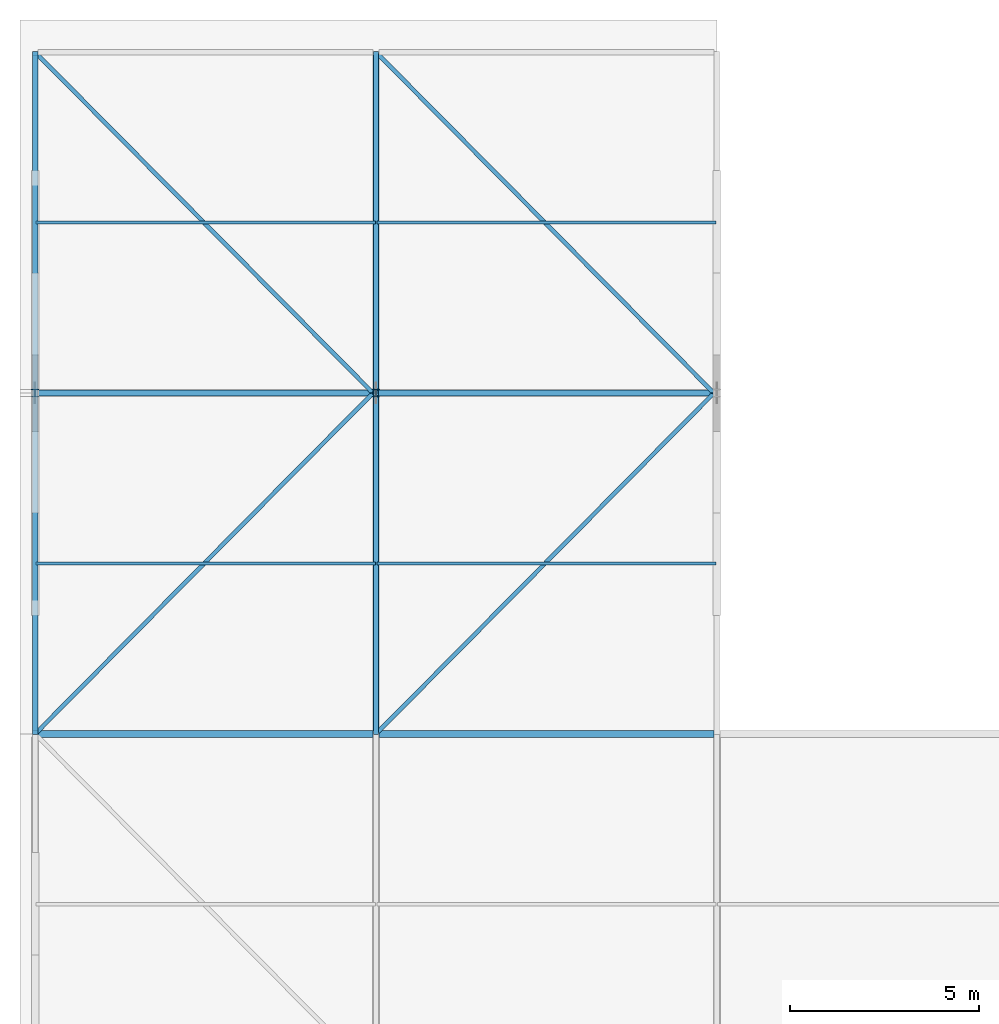
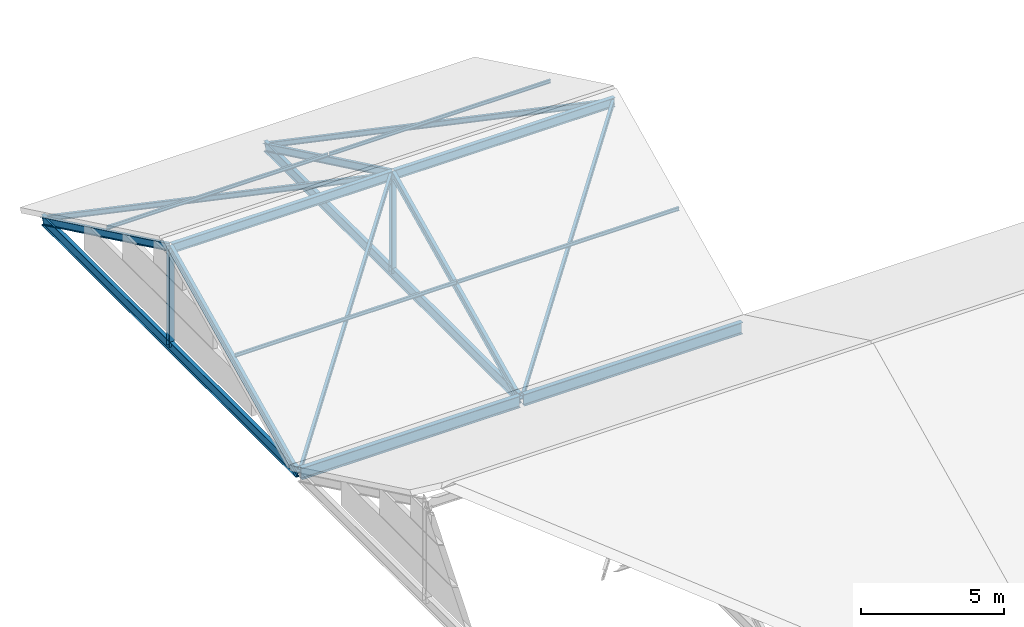
# One storey, part 3 of 9: 16 members, 4 beams.
"""IFC4 building model written with IfcOpenShell, lengths in metres."""

from ifc_helpers import new_model, si_unit, direction, frame, origin, origin_2d, place, context, subcontext, project, spatial, i_section, extrude, material, material_profile, profile_set, type_object, element, save


model = new_model("IFC4")

# Units and contexts
model_context = context("Model", 3, precision=1e-05, world=origin(), true_north=direction((0.0, 1.0)))
body_context = subcontext(model_context, "Body", "Model", "MODEL_VIEW")
ifc_project = project(units=[si_unit("LENGTHUNIT", "METRE"), si_unit("AREAUNIT", "SQUARE_METRE"), si_unit("VOLUMEUNIT", "CUBIC_METRE"), si_unit("PLANEANGLEUNIT", "RADIAN"), si_unit("MASSUNIT", "GRAM", prefix="KILO")], contexts=[model_context])

# Site, building, storey
site_placement = place(None, origin())
site = spatial("IfcSite", under=ifc_project, at=site_placement, CompositionType="ELEMENT")
building_placement = place(site_placement, origin())
building = spatial("IfcBuilding", under=site, at=building_placement, Name="Tharagai Park Tramway Depot", CompositionType="ELEMENT")
storey_placement = place(building_placement, frame((0.0, 0.0, 18.0)))
storey = spatial("IfcBuildingStorey", under=building, at=storey_placement, Name="RF", CompositionType="ELEMENT", Elevation=18.0)

# Beams
ifc_material_1 = material(Name="Steel E350", Category="steel")
ifc_material_profile_1 = material_profile(ifc_material_1, i_section(OverallWidth=0.14990234375, OverallDepth=0.449951171875, WebThickness=0.009521484375, FlangeThickness=0.017333984375, FilletRadius=0.014892578125, at=origin_2d()), Name="ISMB 450")
ifc_profile_set_1 = profile_set([ifc_material_profile_1], Name="Steel E350")
beam_type_1 = type_object("IfcBeamType", Name="BM-02", PredefinedType="BEAM", material=ifc_profile_set_1)
for number, where, z_axis, x_axis, name in (
    (1, (0.0, 18.080078125, -0.47509765625), (0.0, 1.0, 0.0), (-1.0, 0.0, 0.0), "V4W Gable Tie Girder BM-02"),
    (2, (9.0, 18.080078125, -0.47509765625), (0.0, 1.0, 0.0), (-1.0, 0.0, 0.0), "V4W Gable Tie Girder BM-02"),
):
    element("IfcBeam", number, at=place(storey_placement, frame(where, z_axis=z_axis, x_axis=x_axis)), inside=storey, type_object=beam_type_1, Name=name, PredefinedType="BEAM", context=body_context, shape_type="SweptSolid", body=[
        extrude(i_section(OverallWidth=0.14990234375, OverallDepth=0.449951171875, WebThickness=0.009521484375, FlangeThickness=0.017333984375, FilletRadius=0.014892578125, at=origin_2d()), origin(), (0.0, 0.0, 1.0), 17.83984375),
    ])
ifc_material_profile_2 = material_profile(ifc_material_1, i_section(OverallWidth=0.179931640625, OverallDepth=0.5, WebThickness=0.01025390625, FlangeThickness=0.01708984375, FilletRadius=0.01708984375, at=origin_2d()), Name="ISMB 500")
ifc_profile_set_2 = profile_set([ifc_material_profile_2], Name="Steel E350")
beam_type_2 = type_object("IfcBeamType", Name="BM-18", PredefinedType="BEAM", material=ifc_profile_set_2)
for number, where, z_axis, x_axis, name in (
    (3, (0.080078125, 18.0, -0.5), (1.0, 0.0, 0.0), (0.0, 1.0, 0.0), "V4S Roof Eave Girder BM-18"),
    (4, (9.080078125, 18.0, -0.5), (1.0, 0.0, 0.0), (0.0, 1.0, 0.0), "V4S Roof Eave Girder BM-18"),
):
    element("IfcBeam", number, at=place(storey_placement, frame(where, z_axis=z_axis, x_axis=x_axis)), inside=storey, type_object=beam_type_2, Name=name, PredefinedType="BEAM", context=body_context, shape_type="SweptSolid", body=[
        extrude(i_section(OverallWidth=0.179931640625, OverallDepth=0.5, WebThickness=0.01025390625, FlangeThickness=0.01708984375, FilletRadius=0.01708984375, at=origin_2d()), origin(), (0.0, 0.0, 1.0), 8.83984375),
    ])

# Members
ifc_material_profile_3 = material_profile(ifc_material_1, i_section(OverallWidth=0.110107421875, OverallDepth=0.22509765625, WebThickness=0.006591796875, FlangeThickness=0.01171875, FilletRadius=0.011962890625, at=origin_2d()), Name="ISMB 225")
ifc_profile_set_3 = profile_set([ifc_material_profile_3], Name="Steel E350")
member_type_1 = type_object("IfcMemberType", Name="BR-04", PredefinedType="BRACE", material=ifc_profile_set_3)
for number, where, z_axis, x_axis, name in (
    (5, (0.080078125, 18.080078125, -0.47509765625), (0.668119760902, 0.674172105178, 0.314814163741), (-0.710287879152, 0.703911307432, 0.0), "V4W Roof Wind Brace BR-04"),
    (6, (0.080078125, 35.919921875, -0.47509765625), (0.668119760902, -0.674172105178, 0.314814163741), (0.710287879152, 0.703911307432, 0.0), "V4W Roof Wind Brace BR-04"),
    (7, (9.080078125, 18.080078125, -0.47509765625), (0.668119760902, 0.674172105178, 0.314814163741), (-0.710287879152, 0.703911307432, 0.0), "V4W Roof Wind Brace BR-04"),
    (8, (9.080078125, 35.919921875, -0.47509765625), (0.668119760902, -0.674172105178, 0.314814163741), (0.710287879152, 0.703911307432, 0.0), "V4W Roof Wind Brace BR-04"),
):
    element("IfcMember", number, at=place(storey_placement, frame(where, z_axis=z_axis, x_axis=x_axis)), inside=storey, type_object=member_type_1, Name=name, PredefinedType="BRACE", context=body_context, shape_type="SweptSolid", body=[
        extrude(i_section(OverallWidth=0.110107421875, OverallDepth=0.22509765625, WebThickness=0.006591796875, FlangeThickness=0.01171875, FilletRadius=0.011962890625, at=origin_2d()), origin(), (0.0, 0.0, 1.0), 13.23095703125),
    ])
ifc_material_profile_4 = material_profile(ifc_material_1, i_section(OverallWidth=0.199951171875, OverallDepth=0.199951171875, WebThickness=0.0078125, FlangeThickness=0.009033203125, FilletRadius=0.009033203125, at=origin_2d()), Name="ISHB 200")
ifc_profile_set_4 = profile_set([ifc_material_profile_4], Name="Steel E350")
member_type_2 = type_object("IfcMemberType", Name="BR-10", PredefinedType="BRACE", material=ifc_profile_set_4)
for number, where, z_axis, x_axis, name in (
    (9, (0.0, 27.0, -0.47509765625), (0.0, 0.0, 1.0), (1.0, 0.0, 0.0), "V4W Gable King Strut BR-10"),
    (10, (9.0, 27.0, -0.47509765625), (0.0, 0.0, 1.0), (1.0, 0.0, 0.0), "V4W Gable King Strut BR-10"),
):
    element("IfcMember", number, at=place(storey_placement, frame(where, z_axis=z_axis, x_axis=x_axis)), inside=storey, type_object=member_type_2, Name=name, PredefinedType="BRACE", context=body_context, shape_type="SweptSolid", body=[
        extrude(i_section(OverallWidth=0.199951171875, OverallDepth=0.199951171875, WebThickness=0.0078125, FlangeThickness=0.009033203125, FilletRadius=0.009033203125, at=origin_2d()), origin(), (0.0, 0.0, 1.0), 4.21533203125),
    ])
ifc_material_2 = material(Name="Steel E250", Category="steel")
ifc_material_profile_5 = material_profile(ifc_material_2, i_section(OverallWidth=0.080078125, OverallDepth=0.14990234375, WebThickness=0.0048828125, FlangeThickness=0.007568359375, FilletRadius=0.009033203125, at=origin_2d()), Name="ISMB 150")
ifc_profile_set_5 = profile_set([ifc_material_profile_5], Name="Steel E250")
member_type_3 = type_object("IfcMemberType", Name="PR-05", PredefinedType="PURLIN", material=ifc_profile_set_5)
for number, where, z_axis, x_axis, name in (
    (11, (0.02001953125, 22.5, 1.82373046875), (1.0, 0.0, 0.0), (0.0, 1.0, 0.0), "V4W Roof Purlin PR-05"),
    (12, (0.02001953125, 31.5, 1.82373046875), (1.0, 0.0, 0.0), (0.0, 1.0, 0.0), "V4W Roof Purlin PR-05"),
    (13, (9.02001953125, 22.5, 1.82373046875), (1.0, 0.0, 0.0), (0.0, 1.0, 0.0), "V4W Roof Purlin PR-05"),
    (14, (9.02001953125, 31.5, 1.82373046875), (1.0, 0.0, 0.0), (0.0, 1.0, 0.0), "V4W Roof Purlin PR-05"),
):
    element("IfcMember", number, at=place(storey_placement, frame(where, z_axis=z_axis, x_axis=x_axis)), inside=storey, type_object=member_type_3, Name=name, PredefinedType="PURLIN", context=body_context, shape_type="SweptSolid", body=[
        extrude(i_section(OverallWidth=0.080078125, OverallDepth=0.14990234375, WebThickness=0.0048828125, FlangeThickness=0.007568359375, FilletRadius=0.009033203125, at=origin_2d()), origin(), (0.0, 0.0, 1.0), 8.9599609375),
    ])
ifc_material_profile_6 = material_profile(ifc_material_1, i_section(OverallWidth=0.139892578125, OverallDepth=0.300048828125, WebThickness=0.0078125, FlangeThickness=0.01318359375, FilletRadius=0.013916015625, at=origin_2d()), Name="ISMB 300")
ifc_profile_set_6 = profile_set([ifc_material_profile_6], Name="Steel E350")
member_type_4 = type_object("IfcMemberType", Name="RF-02", PredefinedType="RAFTER", material=ifc_profile_set_6)
for number, where, z_axis, x_axis, name in (
    (15, (0.0, 18.050048828125, -0.552734375), (0.0, 0.901641235071, 0.432484778021), (-1.0, 0.0, 0.0), "V4W Pitched Rafter RF-02 South"),
    (16, (0.0, 27.0, 3.740234375), (0.0, 0.901641235071, -0.432484778021), (-1.0, 0.0, 0.0), "V4W Pitched Rafter RF-02 North"),
    (17, (9.0, 18.050048828125, -0.552734375), (0.0, 0.901641235071, 0.432484778021), (-1.0, 0.0, 0.0), "V4W Pitched Rafter RF-02 South"),
    (18, (9.0, 27.0, 3.740234375), (0.0, 0.901641235071, -0.432484778021), (-1.0, 0.0, 0.0), "V4W Pitched Rafter RF-02 North"),
):
    element("IfcMember", number, at=place(storey_placement, frame(where, z_axis=z_axis, x_axis=x_axis)), inside=storey, type_object=member_type_4, Name=name, PredefinedType="RAFTER", context=body_context, shape_type="SweptSolid", body=[
        extrude(i_section(OverallWidth=0.139892578125, OverallDepth=0.300048828125, WebThickness=0.0078125, FlangeThickness=0.01318359375, FilletRadius=0.013916015625, at=origin_2d()), origin(), (0.0, 0.0, 1.0), 9.92626953125),
    ])
ifc_material_profile_7 = material_profile(ifc_material_1, i_section(OverallWidth=0.1650390625, OverallDepth=0.39990234375, WebThickness=0.008056640625, FlangeThickness=0.012451171875, FilletRadius=0.013916015625, at=origin_2d()), Name="ISLB 400")
ifc_profile_set_7 = profile_set([ifc_material_profile_7], Name="Steel E350")
member_type_5 = type_object("IfcMemberType", Name="TC-04", PredefinedType="CHORD", material=ifc_profile_set_7)
for number, where, z_axis, x_axis, name in (
    (19, (0.0400390625, 27.0, 3.690185546875), (1.0, 0.0, 0.0), (0.0, 1.0, 0.0), "V4W Roof Ridge Chord TC-04"),
    (20, (9.0400390625, 27.0, 3.690185546875), (1.0, 0.0, 0.0), (0.0, 1.0, 0.0), "V4W Roof Ridge Chord TC-04"),
):
    element("IfcMember", number, at=place(storey_placement, frame(where, z_axis=z_axis, x_axis=x_axis)), inside=storey, type_object=member_type_5, Name=name, PredefinedType="CHORD", context=body_context, shape_type="SweptSolid", body=[
        extrude(i_section(OverallWidth=0.1650390625, OverallDepth=0.39990234375, WebThickness=0.008056640625, FlangeThickness=0.012451171875, FilletRadius=0.013916015625, at=origin_2d()), origin(), (0.0, 0.0, 1.0), 8.919921875),
    ])

save(model, "model.ifc")
